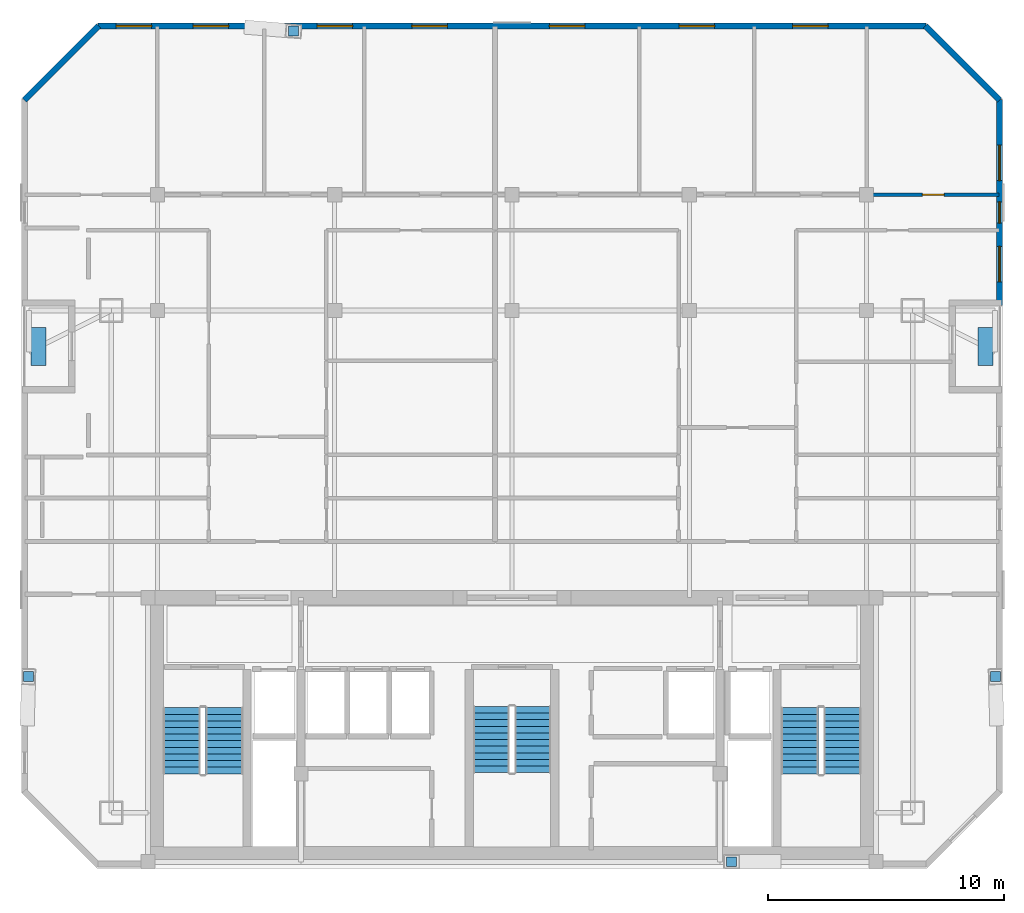
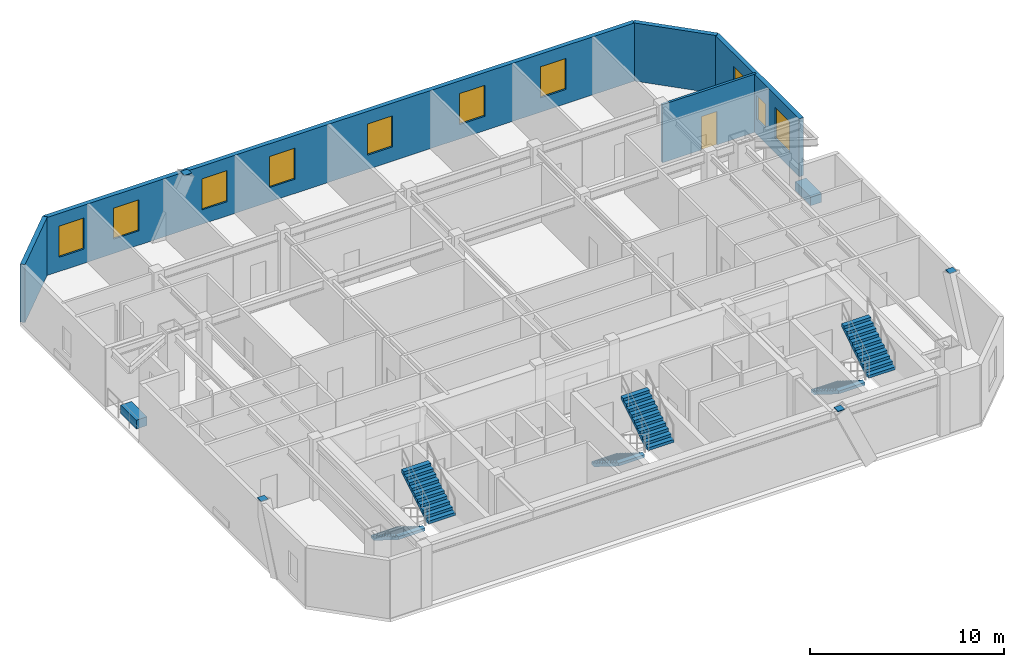
# One storey, part 6 of 7: 10 windows, 6 discrete accessories, 6 stair flights, 5 walls, 1 door, 11 openings, 3 elements without a shape of their own.
"""IFC4 building model written with IfcOpenShell, lengths in metres."""

import ifcopenshell
import ifcopenshell.guid

model = None  # the IFC model being written
_history = None  # IfcOwnerHistory: only IFC2X3 demands one
_inside = {}  # id of a spatial element -> (the spatial element, [elements in it])
_under = {}  # id of a project, library or spatial element -> (it, [spatial elements below it])
_declared = {}  # id of a project -> (the project, [libraries it declares])
_typed = {}  # id of a type object -> (the type object, [elements of that type])
_made_of = {}  # id of a material, layer set ... -> (it, [elements and type objects made of it])


def new_model(schema):
    """Start an empty IFC model of exactly this schema.

    Asked for "IFC4X3", IfcOpenShell would pick the latest addendum, in which some entities
    have other attributes; the version numbers below select the first issue.
    IFC2X3 requires an IfcOwnerHistory on every rooted entity: one is made here for all.
    """
    global model, _history
    if schema == "IFC4X3":
        model = ifcopenshell.file(schema_version=(4, 3, 0, 0))
    else:
        model = ifcopenshell.file(schema=schema)
    _inside.clear()
    _under.clear()
    _declared.clear()
    _typed.clear()
    _made_of.clear()
    _history = None
    if model.schema == "IFC2X3":
        org = make("IfcOrganization", Name="unknown")
        user = make(
            "IfcPersonAndOrganization",
            ThePerson=make("IfcPerson", FamilyName="unknown"),
            TheOrganization=org,
        )
        app = make(
            "IfcApplication",
            ApplicationDeveloper=org,
            Version="unknown",
            ApplicationFullName="unknown",
            ApplicationIdentifier="unknown",
        )
        _history = make(
            "IfcOwnerHistory",
            OwningUser=user,
            OwningApplication=app,
            ChangeAction="ADDED",
            CreationDate=0,
        )
    return model


def make(cls, **values):
    """One entity of the class cls with the attributes given. An attribute that is None is left unset."""
    return model.create_entity(
        cls, **{name: value for name, value in values.items() if value is not None}
    )


def rooted(cls, **values):
    """An entity with a GlobalId (a new one), such as an element, a storey or a relation."""
    return make(cls, GlobalId=ifcopenshell.guid.new(), OwnerHistory=_history, **values)


def si_unit(unit_type, name, prefix=None):
    """IfcSIUnit, for example si_unit("LENGTHUNIT", "METRE", prefix="MILLI")."""
    return make("IfcSIUnit", UnitType=unit_type, Prefix=prefix, Name=name)


def assignment(units):
    """IfcUnitAssignment: the units of a project."""
    return None if units is None else make("IfcUnitAssignment", Units=units)


def point(xyz):
    """IfcCartesianPoint."""
    return None if xyz is None else make("IfcCartesianPoint", Coordinates=xyz)


def direction(xyz):
    """IfcDirection."""
    return None if xyz is None else make("IfcDirection", DirectionRatios=xyz)


def frame(location, z_axis=None, x_axis=None):
    """IfcAxis2Placement3D, a coordinate frame: its origin and axes. An axis left out is left unset."""
    return make(
        "IfcAxis2Placement3D",
        Location=point(location),
        Axis=direction(z_axis),
        RefDirection=direction(x_axis),
    )


def frame_2d(location, x_axis=None):
    """IfcAxis2Placement2D, a coordinate frame in the plane: its origin and x axis."""
    return make(
        "IfcAxis2Placement2D", Location=point(location), RefDirection=direction(x_axis)
    )


def origin():
    """The frame at (0, 0, 0) with its axes left unset."""
    return frame((0.0, 0.0, 0.0))


def origin_2d():
    """The frame at (0, 0) in the plane with its x axis left unset."""
    return frame_2d((0.0, 0.0))


def place(relative_to, where):
    """IfcLocalPlacement: puts the frame where relative to a parent placement (None: the world)."""
    return make(
        "IfcLocalPlacement", PlacementRelTo=relative_to, RelativePlacement=where
    )


def context(
    kind, dimensions, precision=None, world=None, true_north=None, identifier=None
):
    """IfcGeometricRepresentationContext, for example the 3D "Model" context."""
    return make(
        "IfcGeometricRepresentationContext",
        ContextIdentifier=identifier,
        ContextType=kind,
        CoordinateSpaceDimension=dimensions,
        Precision=precision,
        WorldCoordinateSystem=world,
        TrueNorth=true_north,
    )


def subcontext(parent, identifier, kind, view, scale=None):
    """IfcGeometricRepresentationSubContext, for example "Body" below "Model"."""
    return make(
        "IfcGeometricRepresentationSubContext",
        ContextIdentifier=identifier,
        ContextType=kind,
        ParentContext=parent,
        TargetScale=scale,
        TargetView=view,
    )


def project(units=None, contexts=None):
    """IfcProject with its units and contexts."""
    return rooted(
        "IfcProject",
        Name="project",
        RepresentationContexts=contexts,
        UnitsInContext=assignment(units),
    )


def spatial(cls, under=None, at=None, **own):
    """A site, building, storey or space (cls), placed at a placement, below another one or the project."""
    s = rooted(cls, ObjectPlacement=at, **own)
    if under is not None:
        _under.setdefault(under.id(), (under, []))[1].append(s)
    return s


def polyline(points):
    """IfcPolyline through the points."""
    return make("IfcPolyline", Points=[point(p) for p in points])


def profile(cls, at=None, kind="AREA", **sizes):
    """A parametric profile (cls). Its sizes go by their IFC names, for example OverallWidth=200.0."""
    return make(cls, ProfileType=kind, Position=at, **sizes)


def rectangle(**sizes):
    """IfcRectangleProfileDef."""
    return profile("IfcRectangleProfileDef", **sizes)


def outline(outer, holes=None, kind="AREA"):
    """IfcArbitraryClosedProfileDef: a profile drawn as a closed curve; with holes, ...WithVoids."""
    if holes is None:
        return make("IfcArbitraryClosedProfileDef", ProfileType=kind, OuterCurve=outer)
    return make(
        "IfcArbitraryProfileDefWithVoids",
        ProfileType=kind,
        OuterCurve=outer,
        InnerCurves=holes,
    )


def extrude(swept, where, along, depth):
    """IfcExtrudedAreaSolid: the profile swept, set in the frame where, extruded along a direction by depth."""
    return make(
        "IfcExtrudedAreaSolid",
        SweptArea=swept,
        Position=where,
        ExtrudedDirection=direction(along),
        Depth=depth,
    )


def shape(context_of_items, identifier, shape_type, items):
    """IfcShapeRepresentation: the items that make up one representation, for example the "Body"."""
    return make(
        "IfcShapeRepresentation",
        ContextOfItems=context_of_items,
        RepresentationIdentifier=identifier,
        RepresentationType=shape_type,
        Items=items,
    )


def material(Name=None, Category=None):
    """IfcMaterial."""
    return make("IfcMaterial", Name=Name, Category=Category)


def layer(
    of_material, thickness, ventilated=None, Name=None, Category=None, Priority=None
):
    """IfcMaterialLayer: one layer of a wall or slab, of a material (None: an air gap)."""
    return make(
        "IfcMaterialLayer",
        Material=of_material,
        LayerThickness=thickness,
        IsVentilated=ventilated,
        Name=Name,
        Category=Category,
        Priority=Priority,
    )


def layer_set(layers, Name=None):
    """IfcMaterialLayerSet."""
    return make("IfcMaterialLayerSet", MaterialLayers=layers, LayerSetName=Name)


def made_of(thing, what):
    """Note that an element or type object is made of a material, layer set ...; save() writes the relation."""
    if what is not None:
        _made_of.setdefault(what.id(), (what, []))[1].append(thing)
    return thing


def type_object(cls, material=None, **own):
    """A type object (cls), such as IfcWallType, which elements share."""
    return made_of(rooted(cls, **own), material)


def element(
    cls,
    number,
    at=None,
    inside=None,
    cuts=None,
    type_object=None,
    material=None,
    context=None,
    identifier="Body",
    shape_type=None,
    held_by="IfcProductDefinitionShape",
    body=None,
    shapes=None,
    **own,
):
    """One element of the class cls, such as IfcWall. Its Tag is "e" and its number.

    at: its placement. inside: the storey or other place that contains it. cuts: it is an
    opening in that element (IfcRelVoidsElement). A single representation is given by context,
    identifier, shape_type and body (its items); several are given by shapes. held_by: the class
    of the entity that holds the representations. save() writes the other relations.
    """
    e = rooted(cls, Tag="e%d" % number, ObjectPlacement=at, **own)
    if body is not None:
        shapes = [shape(context, identifier, shape_type, body)]
    if shapes is not None:
        e.Representation = make(held_by, Representations=shapes)
    if inside is not None:
        _inside.setdefault(inside.id(), (inside, []))[1].append(e)
    if cuts is not None:
        rooted(
            "IfcRelVoidsElement", RelatingBuildingElement=cuts, RelatedOpeningElement=e
        )
    if type_object is not None:
        _typed.setdefault(type_object.id(), (type_object, []))[1].append(e)
    return made_of(e, material)


def fill(opening, filler):
    """IfcRelFillsElement: the door or window that sits in an opening."""
    return rooted(
        "IfcRelFillsElement",
        RelatingOpeningElement=opening,
        RelatedBuildingElement=filler,
    )


def aggregate(whole, parts):
    """IfcRelAggregates: a whole, such as a stair, and the parts it consists of."""
    return rooted("IfcRelAggregates", RelatingObject=whole, RelatedObjects=parts)


def save(model, path):
    """Write the relations noted so far, then the file.

    IfcRelAggregates (storeys below a building ...), IfcRelContainedInSpatialStructure (elements
    in a storey), IfcRelDefinesByType, IfcRelAssociatesMaterial and IfcRelDeclares: one each for
    every whole, place, type object, material and project.
    """
    for whole, parts in _under.values():
        aggregate(whole, parts)
    for where, things in _inside.values():
        rooted(
            "IfcRelContainedInSpatialStructure",
            RelatedElements=things,
            RelatingStructure=where,
        )
    for kind, things in _typed.values():
        rooted("IfcRelDefinesByType", RelatedObjects=things, RelatingType=kind)
    for what, things in _made_of.values():
        rooted("IfcRelAssociatesMaterial", RelatedObjects=things, RelatingMaterial=what)
    for by, libraries in _declared.values():
        rooted("IfcRelDeclares", RelatingContext=by, RelatedDefinitions=libraries)
    model.write(path)


model = new_model("IFC4")

# Units and contexts
model_context = context("Model", 3, precision=1e-05, world=origin(), true_north=direction((0.0, 1.0)))
body_context = subcontext(model_context, "Body", "Model", "MODEL_VIEW")
ifc_project = project(units=[si_unit("LENGTHUNIT", "METRE"), si_unit("AREAUNIT", "SQUARE_METRE"), si_unit("VOLUMEUNIT", "CUBIC_METRE"), si_unit("PLANEANGLEUNIT", "RADIAN"), si_unit("MASSUNIT", "GRAM", prefix="KILO")], contexts=[model_context])

# Site, building, storey
site_placement = place(None, origin())
site = spatial("IfcSite", under=ifc_project, at=site_placement, CompositionType="ELEMENT")
building_placement = place(site_placement, origin())
building = spatial("IfcBuilding", under=site, at=building_placement, Name="Ventersveld Concourse Tower", CompositionType="ELEMENT")
storey_placement = place(building_placement, frame((0.0, 0.0, 260.60009765625)))
storey = spatial("IfcBuildingStorey", under=building, at=storey_placement, Name="L64", CompositionType="ELEMENT", Elevation=260.60009765625)

# Wall, opening, door
ifc_material_1 = material(Name="Autoclaved aerated masonry blockwork", Category="masonry")
ifc_layer_1 = layer(ifc_material_1, 0.14990234375)
ifc_layer_set_1 = layer_set([ifc_layer_1], Name="Autoclaved aerated masonry blockwork")
wall_type_1 = type_object("IfcWallType", Name="WL-INT-150", PredefinedType="PARTITIONING", material=ifc_layer_set_1)
wall_1_placement = place(storey_placement, frame((43.784912109375, 28.5, 0.0), z_axis=(0.0, 0.0, 1.0), x_axis=(1.0, 0.0, 0.0)))
wall_1 = element("IfcWall", 1, at=wall_1_placement, inside=storey, type_object=wall_type_1, Name="L64 Interior Partition SP-L64-64N2-LIV-SP-L64-64N2-BR4", PredefinedType="PARTITIONING", context=body_context, shape_type="SweptSolid", body=[
    extrude(rectangle(XDim=5.56787109375, YDim=0.14990234375, at=frame_2d((2.783935546875, 0.0))), origin(), (0.0, 0.0, 1.0), 3.64990234375),
])
opening_1_placement = place(wall_1_placement, frame((2.323974609375, 0.0, 0.0)))
opening_1 = element("IfcOpeningElement", 2, at=opening_1_placement, cuts=wall_1, Name="Opening ID1", PredefinedType="OPENING", context=body_context, shape_type="SweptSolid", body=[
    extrude(rectangle(XDim=0.919921875, YDim=2.10009765625, at=frame_2d((0.4599609375, 1.050048828125))), frame((0.0, 0.0849609375, 0.0), z_axis=(0.0, -1.0, 0.0), x_axis=(1.0, 0.0, 0.0)), (0.0, 0.0, 1.0), 0.169921875),
])
ifc_material_2 = material(Name="Solid-core hardwood veneer timber", Category="wood")
door_type = type_object("IfcDoorType", Name="DR-ROOM-092", OperationType="NOTDEFINED", PredefinedType="DOOR", material=ifc_material_2)
door_placement = place(opening_1_placement, origin())
door = element("IfcDoor", 3, at=door_placement, inside=storey, type_object=door_type, Name="L64 Interior Door SP-L64-64N2-LIV to SP-L64-64N2-BR4 (D-L64-3049)", OperationType="SINGLE_SWING_LEFT", OverallHeight=2.10009765625, OverallWidth=0.919921875, PredefinedType="DOOR", context=body_context, shape_type="SweptSolid", body=[
    extrude(rectangle(XDim=0.919921875, YDim=2.10009765625, at=frame_2d((0.4599609375, 1.050048828125))), frame((0.0, 0.02490234375, 0.0), z_axis=(0.0, -1.0, 0.0), x_axis=(1.0, 0.0, 0.0)), (0.0, 0.0, 1.0), 0.050048828125),
])
fill(opening_1, door)

# Wall, openings, windows
ifc_material_3 = material(Name="Precast concrete C45/55", Category="concrete")
ifc_layer_2 = layer(ifc_material_3, 0.260009765625)
ifc_layer_set_2 = layer_set([ifc_layer_2], Name="Precast concrete C45/55")
wall_type_2 = type_object("IfcWallType", Name="WL-PREC-260", PredefinedType="SOLIDWALL", material=ifc_layer_set_2)
wall_2_placement = place(storey_placement, frame((49.372314453125, 23.8203125, 0.0), z_axis=(0.0, 0.0, 1.0), x_axis=(0.0, 1.0, 0.0)))
wall_2 = element("IfcWall", 4, at=wall_2_placement, inside=storey, type_object=wall_type_2, Name="L64 Highveld Precast Facade Wall E07", PredefinedType="SOLIDWALL", context=body_context, shape_type="SweptSolid", body=[
    extrude(rectangle(XDim=8.7001953125, YDim=0.260009765625, at=frame_2d((4.35009765625, 0.0))), origin(), (0.0, 0.0, 1.0), 3.64990234375),
])
opening_2_placement = place(wall_2_placement, frame((3.479736328125, 0.0, 0.949951171875)))
opening_2 = element("IfcOpeningElement", 5, at=opening_2_placement, cuts=wall_2, Name="Opening W4", PredefinedType="OPENING", context=body_context, shape_type="SweptSolid", body=[
    extrude(rectangle(XDim=0.89990234375, YDim=1.5, at=frame_2d((0.449951171875, 0.75))), frame((0.0, 0.14013671875, 0.0), z_axis=(0.0, -1.0, 0.0), x_axis=(1.0, 0.0, 0.0)), (0.0, 0.0, 1.0), 0.280029296875),
])
opening_3_placement = place(wall_2_placement, frame((0.993408203125, 0.0, 0.89990234375)))
opening_3 = element("IfcOpeningElement", 6, at=opening_3_placement, cuts=wall_2, Name="Opening W1", PredefinedType="OPENING", context=body_context, shape_type="SweptSolid", body=[
    extrude(rectangle(XDim=1.5, YDim=1.949951171875, at=frame_2d((0.75, 0.97509765625))), frame((0.0, 0.14013671875, 0.0), z_axis=(0.0, -1.0, 0.0), x_axis=(1.0, 0.0, 0.0)), (0.0, 0.0, 1.0), 0.280029296875),
])
opening_4_placement = place(wall_2_placement, frame((5.27490234375, 0.0, 0.89990234375)))
opening_4 = element("IfcOpeningElement", 7, at=opening_4_placement, cuts=wall_2, Name="Opening W1", PredefinedType="OPENING", context=body_context, shape_type="SweptSolid", body=[
    extrude(rectangle(XDim=1.5, YDim=1.949951171875, at=frame_2d((0.75, 0.97509765625))), frame((0.0, 0.14013671875, 0.0), z_axis=(0.0, -1.0, 0.0), x_axis=(1.0, 0.0, 0.0)), (0.0, 0.0, 1.0), 0.280029296875),
])
ifc_material_4 = material(Name="Tempered acoustic Low-E IGU", Category="glass")
window_type_1 = type_object("IfcWindowType", Name="WIN-090x150", PartitioningType="SINGLE_PANEL", PredefinedType="WINDOW", material=ifc_material_4)
window_1_placement = place(opening_2_placement, origin())
window_1 = element("IfcWindow", 8, at=window_1_placement, inside=storey, type_object=window_type_1, Name="L64 Punched Low-E Window W-0912", OverallHeight=1.5, OverallWidth=0.89990234375, PartitioningType="SINGLE_PANEL", PredefinedType="WINDOW", context=body_context, shape_type="SweptSolid", body=[
    extrude(rectangle(XDim=0.89990234375, YDim=1.5, at=frame_2d((0.449951171875, 0.75))), frame((0.0, 0.030029296875, 0.0), z_axis=(0.0, -1.0, 0.0), x_axis=(1.0, 0.0, 0.0)), (0.0, 0.0, 1.0), 0.06005859375),
])
fill(opening_2, window_1)
window_type_2 = type_object("IfcWindowType", Name="WIN-150x210", PartitioningType="SINGLE_PANEL", PredefinedType="WINDOW", material=ifc_material_4)
window_2_placement = place(opening_3_placement, origin())
window_2 = element("IfcWindow", 9, at=window_2_placement, inside=storey, type_object=window_type_2, Name="L64 Punched Low-E Window W-0916", OverallHeight=1.949951171875, OverallWidth=1.5, PartitioningType="SINGLE_PANEL", PredefinedType="WINDOW", context=body_context, shape_type="SweptSolid", body=[
    extrude(rectangle(XDim=1.5, YDim=1.949951171875, at=frame_2d((0.75, 0.97509765625))), frame((0.0, 0.030029296875, 0.0), z_axis=(0.0, -1.0, 0.0), x_axis=(1.0, 0.0, 0.0)), (0.0, 0.0, 1.0), 0.06005859375),
])
fill(opening_3, window_2)
window_3_placement = place(opening_4_placement, origin())
window_3 = element("IfcWindow", 10, at=window_3_placement, inside=storey, type_object=window_type_2, Name="L64 Punched Low-E Window W-0920", OverallHeight=1.949951171875, OverallWidth=1.5, PartitioningType="SINGLE_PANEL", PredefinedType="WINDOW", context=body_context, shape_type="SweptSolid", body=[
    extrude(rectangle(XDim=1.5, YDim=1.949951171875, at=frame_2d((0.75, 0.97509765625))), frame((0.0, 0.030029296875, 0.0), z_axis=(0.0, -1.0, 0.0), x_axis=(1.0, 0.0, 0.0)), (0.0, 0.0, 1.0), 0.06005859375),
])
fill(opening_4, window_3)

# Wall
wall_3_placement = place(storey_placement, frame((49.382080078125, 32.4970703125, 0.0), z_axis=(0.0, 0.0, 1.0), x_axis=(-0.707106781187, 0.707106781187, 0.0)))
element("IfcWall", 11, at=wall_3_placement, inside=storey, type_object=wall_type_2, Name="L64 Highveld Precast Facade Wall E08", PredefinedType="SOLIDWALL", context=body_context, shape_type="SweptSolid", body=[
    extrude(rectangle(XDim=4.4453125, YDim=0.260009765625, at=frame_2d((2.22265625, 0.0))), origin(), (0.0, 0.0, 1.0), 3.64990234375),
])

# Wall, openings, windows
wall_4_placement = place(storey_placement, frame((46.26220703125, 35.630615234375, 0.0), z_axis=(0.0, 0.0, 1.0), x_axis=(-1.0, 0.0, 0.0)))
wall_4 = element("IfcWall", 12, at=wall_4_placement, inside=storey, type_object=wall_type_2, Name="L64 Highveld Precast Facade Wall E09", PredefinedType="SOLIDWALL", context=body_context, shape_type="SweptSolid", body=[
    extrude(rectangle(XDim=35.0244140625, YDim=0.260009765625, at=frame_2d((17.51220703125, 0.0))), origin(), (0.0, 0.0, 1.0), 3.64990234375),
])
opening_5_placement = place(wall_4_placement, frame((32.754638671875, 0.0, 0.89990234375)))
opening_5 = element("IfcOpeningElement", 13, at=opening_5_placement, cuts=wall_4, Name="Opening W1", PredefinedType="OPENING", context=body_context, shape_type="SweptSolid", body=[
    extrude(rectangle(XDim=1.5, YDim=1.949951171875, at=frame_2d((0.75, 0.97509765625))), frame((0.0, 0.14013671875, 0.0), z_axis=(0.0, -1.0, 0.0), x_axis=(1.0, 0.0, 0.0)), (0.0, 0.0, 1.0), 0.280029296875),
])
opening_6_placement = place(wall_4_placement, frame((29.50146484375, 0.0, 0.89990234375)))
opening_6 = element("IfcOpeningElement", 14, at=opening_6_placement, cuts=wall_4, Name="Opening W1", PredefinedType="OPENING", context=body_context, shape_type="SweptSolid", body=[
    extrude(rectangle(XDim=1.5, YDim=1.949951171875, at=frame_2d((0.75, 0.97509765625))), frame((0.0, 0.14013671875, 0.0), z_axis=(0.0, -1.0, 0.0), x_axis=(1.0, 0.0, 0.0)), (0.0, 0.0, 1.0), 0.280029296875),
])
opening_7_placement = place(wall_4_placement, frame((24.25537109375, 0.0, 0.89990234375)))
opening_7 = element("IfcOpeningElement", 15, at=opening_7_placement, cuts=wall_4, Name="Opening W1", PredefinedType="OPENING", context=body_context, shape_type="SweptSolid", body=[
    extrude(rectangle(XDim=1.5, YDim=1.949951171875, at=frame_2d((0.75, 0.97509765625))), frame((0.0, 0.14013671875, 0.0), z_axis=(0.0, -1.0, 0.0), x_axis=(1.0, 0.0, 0.0)), (0.0, 0.0, 1.0), 0.280029296875),
])
opening_8_placement = place(wall_4_placement, frame((20.243896484375, 0.0, 0.89990234375)))
opening_8 = element("IfcOpeningElement", 16, at=opening_8_placement, cuts=wall_4, Name="Opening W1", PredefinedType="OPENING", context=body_context, shape_type="SweptSolid", body=[
    extrude(rectangle(XDim=1.5, YDim=1.949951171875, at=frame_2d((0.75, 0.97509765625))), frame((0.0, 0.14013671875, 0.0), z_axis=(0.0, -1.0, 0.0), x_axis=(1.0, 0.0, 0.0)), (0.0, 0.0, 1.0), 0.280029296875),
])
opening_9_placement = place(wall_4_placement, frame((14.427001953125, 0.0, 0.89990234375)))
opening_9 = element("IfcOpeningElement", 17, at=opening_9_placement, cuts=wall_4, Name="Opening W1", PredefinedType="OPENING", context=body_context, shape_type="SweptSolid", body=[
    extrude(rectangle(XDim=1.5, YDim=1.949951171875, at=frame_2d((0.75, 0.97509765625))), frame((0.0, 0.14013671875, 0.0), z_axis=(0.0, -1.0, 0.0), x_axis=(1.0, 0.0, 0.0)), (0.0, 0.0, 1.0), 0.280029296875),
])
opening_10_placement = place(wall_4_placement, frame((8.9453125, 0.0, 0.89990234375)))
opening_10 = element("IfcOpeningElement", 18, at=opening_10_placement, cuts=wall_4, Name="Opening W1", PredefinedType="OPENING", context=body_context, shape_type="SweptSolid", body=[
    extrude(rectangle(XDim=1.5, YDim=1.949951171875, at=frame_2d((0.75, 0.97509765625))), frame((0.0, 0.14013671875, 0.0), z_axis=(0.0, -1.0, 0.0), x_axis=(1.0, 0.0, 0.0)), (0.0, 0.0, 1.0), 0.280029296875),
])
opening_11_placement = place(wall_4_placement, frame((4.13916015625, 0.0, 0.89990234375)))
opening_11 = element("IfcOpeningElement", 19, at=opening_11_placement, cuts=wall_4, Name="Opening W1", PredefinedType="OPENING", context=body_context, shape_type="SweptSolid", body=[
    extrude(rectangle(XDim=1.5, YDim=1.949951171875, at=frame_2d((0.75, 0.97509765625))), frame((0.0, 0.14013671875, 0.0), z_axis=(0.0, -1.0, 0.0), x_axis=(1.0, 0.0, 0.0)), (0.0, 0.0, 1.0), 0.280029296875),
])
window_4_placement = place(opening_5_placement, origin())
window_4 = element("IfcWindow", 20, at=window_4_placement, inside=storey, type_object=window_type_2, Name="L64 Punched Low-E Window W-0908", OverallHeight=1.949951171875, OverallWidth=1.5, PartitioningType="SINGLE_PANEL", PredefinedType="WINDOW", context=body_context, shape_type="SweptSolid", body=[
    extrude(rectangle(XDim=1.5, YDim=1.949951171875, at=frame_2d((0.75, 0.97509765625))), frame((0.0, 0.030029296875, 0.0), z_axis=(0.0, -1.0, 0.0), x_axis=(1.0, 0.0, 0.0)), (0.0, 0.0, 1.0), 0.06005859375),
])
fill(opening_5, window_4)
window_5_placement = place(opening_6_placement, origin())
window_5 = element("IfcWindow", 21, at=window_5_placement, inside=storey, type_object=window_type_2, Name="L64 Punched Low-E Window W-0909", OverallHeight=1.949951171875, OverallWidth=1.5, PartitioningType="SINGLE_PANEL", PredefinedType="WINDOW", context=body_context, shape_type="SweptSolid", body=[
    extrude(rectangle(XDim=1.5, YDim=1.949951171875, at=frame_2d((0.75, 0.97509765625))), frame((0.0, 0.030029296875, 0.0), z_axis=(0.0, -1.0, 0.0), x_axis=(1.0, 0.0, 0.0)), (0.0, 0.0, 1.0), 0.06005859375),
])
fill(opening_6, window_5)
window_6_placement = place(opening_7_placement, origin())
window_6 = element("IfcWindow", 22, at=window_6_placement, inside=storey, type_object=window_type_2, Name="L64 Punched Low-E Window W-0910", OverallHeight=1.949951171875, OverallWidth=1.5, PartitioningType="SINGLE_PANEL", PredefinedType="WINDOW", context=body_context, shape_type="SweptSolid", body=[
    extrude(rectangle(XDim=1.5, YDim=1.949951171875, at=frame_2d((0.75, 0.97509765625))), frame((0.0, 0.030029296875, 0.0), z_axis=(0.0, -1.0, 0.0), x_axis=(1.0, 0.0, 0.0)), (0.0, 0.0, 1.0), 0.06005859375),
])
fill(opening_7, window_6)
window_7_placement = place(opening_8_placement, origin())
window_7 = element("IfcWindow", 23, at=window_7_placement, inside=storey, type_object=window_type_2, Name="L64 Punched Low-E Window W-0911", OverallHeight=1.949951171875, OverallWidth=1.5, PartitioningType="SINGLE_PANEL", PredefinedType="WINDOW", context=body_context, shape_type="SweptSolid", body=[
    extrude(rectangle(XDim=1.5, YDim=1.949951171875, at=frame_2d((0.75, 0.97509765625))), frame((0.0, 0.030029296875, 0.0), z_axis=(0.0, -1.0, 0.0), x_axis=(1.0, 0.0, 0.0)), (0.0, 0.0, 1.0), 0.06005859375),
])
fill(opening_8, window_7)
window_8_placement = place(opening_9_placement, origin())
window_8 = element("IfcWindow", 24, at=window_8_placement, inside=storey, type_object=window_type_2, Name="L64 Punched Low-E Window W-0917", OverallHeight=1.949951171875, OverallWidth=1.5, PartitioningType="SINGLE_PANEL", PredefinedType="WINDOW", context=body_context, shape_type="SweptSolid", body=[
    extrude(rectangle(XDim=1.5, YDim=1.949951171875, at=frame_2d((0.75, 0.97509765625))), frame((0.0, 0.030029296875, 0.0), z_axis=(0.0, -1.0, 0.0), x_axis=(1.0, 0.0, 0.0)), (0.0, 0.0, 1.0), 0.06005859375),
])
fill(opening_9, window_8)
window_9_placement = place(opening_10_placement, origin())
window_9 = element("IfcWindow", 25, at=window_9_placement, inside=storey, type_object=window_type_2, Name="L64 Punched Low-E Window W-0918", OverallHeight=1.949951171875, OverallWidth=1.5, PartitioningType="SINGLE_PANEL", PredefinedType="WINDOW", context=body_context, shape_type="SweptSolid", body=[
    extrude(rectangle(XDim=1.5, YDim=1.949951171875, at=frame_2d((0.75, 0.97509765625))), frame((0.0, 0.030029296875, 0.0), z_axis=(0.0, -1.0, 0.0), x_axis=(1.0, 0.0, 0.0)), (0.0, 0.0, 1.0), 0.06005859375),
])
fill(opening_10, window_9)
window_10_placement = place(opening_11_placement, origin())
window_10 = element("IfcWindow", 26, at=window_10_placement, inside=storey, type_object=window_type_2, Name="L64 Punched Low-E Window W-0919", OverallHeight=1.949951171875, OverallWidth=1.5, PartitioningType="SINGLE_PANEL", PredefinedType="WINDOW", context=body_context, shape_type="SweptSolid", body=[
    extrude(rectangle(XDim=1.5, YDim=1.949951171875, at=frame_2d((0.75, 0.97509765625))), frame((0.0, 0.030029296875, 0.0), z_axis=(0.0, -1.0, 0.0), x_axis=(1.0, 0.0, 0.0)), (0.0, 0.0, 1.0), 0.06005859375),
])
fill(opening_11, window_10)

# Wall
wall_5_placement = place(storey_placement, frame((11.26123046875, 35.640380859375, 0.0), z_axis=(0.0, 0.0, 1.0), x_axis=(-0.707106781187, -0.707106781187, 0.0)))
element("IfcWall", 27, at=wall_5_placement, inside=storey, type_object=wall_type_2, Name="L64 Highveld Precast Facade Wall E10", PredefinedType="SOLIDWALL", context=body_context, shape_type="SweptSolid", body=[
    extrude(rectangle(XDim=4.4453125, YDim=0.260009765625, at=frame_2d((2.22265625, 0.0))), origin(), (0.0, 0.0, 1.0), 3.64990234375),
])

# Stair, stair flights
ifc_material_5 = material(Name="Concrete C50/60", Category="concrete")
stair_type_1 = type_object("IfcStairType", Name="ST-DOG-155", PredefinedType="HALF_TURN_STAIR", material=ifc_material_5)
stair_1_placement = place(storey_placement, origin())
stair_1 = element("IfcStair", 28, at=stair_1_placement, inside=storey, type_object=stair_type_1, Name="L64 Protected Central Core Escape Stair ST-03", PredefinedType="HALF_TURN_STAIR")
stair_flight_type_1 = type_object("IfcStairFlightType", Name="STF-RC-155", PredefinedType="STRAIGHT", material=ifc_material_5)
stair_flight_1_placement = place(storey_placement, frame((27.875, 6.85009765625, 0.0), z_axis=(0.0, 0.0, 1.0), x_axis=(0.0, -1.0, 0.0)))
stair_flight_1 = element("IfcStairFlight", 29, at=stair_flight_1_placement, type_object=stair_flight_type_1, Name="ST-03 flight 1", NumberOfRisers=11, NumberOfTreads=10, PredefinedType="STRAIGHT", RiserHeight=0.175, TreadLength=0.28, context=body_context, shape_type="SweptSolid", body=[
    extrude(outline(polyline([(0.0, 0.0), (0.0, 0.175048828125), (0.280029296875, 0.175048828125), (0.280029296875, 0.35009765625), (0.56005859375, 0.35009765625), (0.56005859375, 0.52490234375), (0.840087890625, 0.52490234375), (0.840087890625, 0.699951171875), (1.1201171875, 0.699951171875), (1.1201171875, 0.875), (1.39990234375, 0.875), (1.39990234375, 1.050048828125), (1.679931640625, 1.050048828125), (1.679931640625, 1.22509765625), (1.9599609375, 1.22509765625), (1.9599609375, 1.39990234375), (2.239990234375, 1.39990234375), (2.239990234375, 1.574951171875), (2.52001953125, 1.574951171875), (2.52001953125, 1.75), (2.800048828125, 1.75), (2.800048828125, 1.925048828125), (2.800048828125, 1.5732421875), (0.28271484375, 0.0), (0.0, 0.0)])), frame((0.0, 0.77490234375, 0.0), z_axis=(0.0, -1.0, 0.0), x_axis=(1.0, 0.0, 0.0)), (0.0, 0.0, 1.0), 1.550048828125),
])
stair_flight_2_placement = place(storey_placement, frame((29.625, 4.050048828125, 1.9248046875), z_axis=(0.0, 0.0, 1.0), x_axis=(0.0, 1.0, 0.0)))
stair_flight_2 = element("IfcStairFlight", 30, at=stair_flight_2_placement, type_object=stair_flight_type_1, Name="ST-03 flight 2", NumberOfRisers=11, NumberOfTreads=10, PredefinedType="STRAIGHT", RiserHeight=0.175, TreadLength=0.28, context=body_context, shape_type="SweptSolid", body=[
    extrude(outline(polyline([(0.0, 0.0), (0.0, 0.175048828125), (0.280029296875, 0.175048828125), (0.280029296875, 0.35009765625), (0.56005859375, 0.35009765625), (0.56005859375, 0.52490234375), (0.840087890625, 0.52490234375), (0.840087890625, 0.699951171875), (1.1201171875, 0.699951171875), (1.1201171875, 0.875), (1.39990234375, 0.875), (1.39990234375, 1.050048828125), (1.679931640625, 1.050048828125), (1.679931640625, 1.22509765625), (1.9599609375, 1.22509765625), (1.9599609375, 1.39990234375), (2.239990234375, 1.39990234375), (2.239990234375, 1.574951171875), (2.52001953125, 1.574951171875), (2.52001953125, 1.75), (2.800048828125, 1.75), (2.800048828125, 1.925048828125), (2.800048828125, 1.5732421875), (0.28271484375, 0.0), (0.0, 0.0)])), frame((0.0, 0.77490234375, 0.0), z_axis=(0.0, -1.0, 0.0), x_axis=(1.0, 0.0, 0.0)), (0.0, 0.0, 1.0), 1.550048828125),
])
aggregate(stair_1, [stair_flight_1, stair_flight_2])

stair_type_2 = type_object("IfcStairType", Name="ST-DOG-160", PredefinedType="HALF_TURN_STAIR", material=ifc_material_5)
stair_2_placement = place(storey_placement, origin())
stair_2 = element("IfcStair", 31, at=stair_2_placement, inside=storey, type_object=stair_type_2, Name="L64 Protected Tower Escape Stair ST-01", PredefinedType="HALF_TURN_STAIR")
stair_flight_type_2 = type_object("IfcStairFlightType", Name="STF-RC-160", PredefinedType="STRAIGHT", material=ifc_material_5)
stair_flight_3_placement = place(storey_placement, frame((14.780029296875, 6.800048828125, 0.0), z_axis=(0.0, 0.0, 1.0), x_axis=(0.0, -1.0, 0.0)))
stair_flight_3 = element("IfcStairFlight", 32, at=stair_flight_3_placement, type_object=stair_flight_type_2, Name="ST-01 flight 1", NumberOfRisers=11, NumberOfTreads=10, PredefinedType="STRAIGHT", RiserHeight=0.175, TreadLength=0.28, context=body_context, shape_type="SweptSolid", body=[
    extrude(outline(polyline([(0.0, 0.0), (0.0, 0.175048828125), (0.280029296875, 0.175048828125), (0.280029296875, 0.35009765625), (0.56005859375, 0.35009765625), (0.56005859375, 0.52490234375), (0.840087890625, 0.52490234375), (0.840087890625, 0.699951171875), (1.1201171875, 0.699951171875), (1.1201171875, 0.875), (1.39990234375, 0.875), (1.39990234375, 1.050048828125), (1.679931640625, 1.050048828125), (1.679931640625, 1.22509765625), (1.9599609375, 1.22509765625), (1.9599609375, 1.39990234375), (2.239990234375, 1.39990234375), (2.239990234375, 1.574951171875), (2.52001953125, 1.574951171875), (2.52001953125, 1.75), (2.800048828125, 1.75), (2.800048828125, 1.925048828125), (2.800048828125, 1.5732421875), (0.28271484375, 0.0), (0.0, 0.0)])), frame((0.0, 0.800048828125, 0.0), z_axis=(0.0, -1.0, 0.0), x_axis=(1.0, 0.0, 0.0)), (0.0, 0.0, 1.0), 1.60009765625),
])
stair_flight_4_placement = place(storey_placement, frame((16.580078125, 4.0, 1.9248046875), z_axis=(0.0, 0.0, 1.0), x_axis=(0.0, 1.0, 0.0)))
stair_flight_4 = element("IfcStairFlight", 33, at=stair_flight_4_placement, type_object=stair_flight_type_2, Name="ST-01 flight 2", NumberOfRisers=11, NumberOfTreads=10, PredefinedType="STRAIGHT", RiserHeight=0.175, TreadLength=0.28, context=body_context, shape_type="SweptSolid", body=[
    extrude(outline(polyline([(0.0, 0.0), (0.0, 0.175048828125), (0.280029296875, 0.175048828125), (0.280029296875, 0.35009765625), (0.56005859375, 0.35009765625), (0.56005859375, 0.52490234375), (0.840087890625, 0.52490234375), (0.840087890625, 0.699951171875), (1.1201171875, 0.699951171875), (1.1201171875, 0.875), (1.39990234375, 0.875), (1.39990234375, 1.050048828125), (1.679931640625, 1.050048828125), (1.679931640625, 1.22509765625), (1.9599609375, 1.22509765625), (1.9599609375, 1.39990234375), (2.239990234375, 1.39990234375), (2.239990234375, 1.574951171875), (2.52001953125, 1.574951171875), (2.52001953125, 1.75), (2.800048828125, 1.75), (2.800048828125, 1.925048828125), (2.800048828125, 1.5732421875), (0.28271484375, 0.0), (0.0, 0.0)])), frame((0.0, 0.800048828125, 0.0), z_axis=(0.0, -1.0, 0.0), x_axis=(1.0, 0.0, 0.0)), (0.0, 0.0, 1.0), 1.60009765625),
])
aggregate(stair_2, [stair_flight_3, stair_flight_4])

stair_3_placement = place(storey_placement, origin())
stair_3 = element("IfcStair", 34, at=stair_3_placement, inside=storey, type_object=stair_type_2, Name="L64 Protected Tower Escape Stair ST-02", PredefinedType="HALF_TURN_STAIR")
stair_flight_5_placement = place(storey_placement, frame((40.919921875, 6.800048828125, 0.0), z_axis=(0.0, 0.0, 1.0), x_axis=(0.0, -1.0, 0.0)))
stair_flight_5 = element("IfcStairFlight", 35, at=stair_flight_5_placement, type_object=stair_flight_type_2, Name="ST-02 flight 1", NumberOfRisers=11, NumberOfTreads=10, PredefinedType="STRAIGHT", RiserHeight=0.175, TreadLength=0.28, context=body_context, shape_type="SweptSolid", body=[
    extrude(outline(polyline([(0.0, 0.0), (0.0, 0.175048828125), (0.280029296875, 0.175048828125), (0.280029296875, 0.35009765625), (0.56005859375, 0.35009765625), (0.56005859375, 0.52490234375), (0.840087890625, 0.52490234375), (0.840087890625, 0.699951171875), (1.1201171875, 0.699951171875), (1.1201171875, 0.875), (1.39990234375, 0.875), (1.39990234375, 1.050048828125), (1.679931640625, 1.050048828125), (1.679931640625, 1.22509765625), (1.9599609375, 1.22509765625), (1.9599609375, 1.39990234375), (2.239990234375, 1.39990234375), (2.239990234375, 1.574951171875), (2.52001953125, 1.574951171875), (2.52001953125, 1.75), (2.800048828125, 1.75), (2.800048828125, 1.925048828125), (2.800048828125, 1.5732421875), (0.28271484375, 0.0), (0.0, 0.0)])), frame((0.0, 0.800048828125, 0.0), z_axis=(0.0, -1.0, 0.0), x_axis=(1.0, 0.0, 0.0)), (0.0, 0.0, 1.0), 1.60009765625),
])
stair_flight_6_placement = place(storey_placement, frame((42.719970703125, 4.0, 1.9248046875), z_axis=(0.0, 0.0, 1.0), x_axis=(0.0, 1.0, 0.0)))
stair_flight_6 = element("IfcStairFlight", 36, at=stair_flight_6_placement, type_object=stair_flight_type_2, Name="ST-02 flight 2", NumberOfRisers=11, NumberOfTreads=10, PredefinedType="STRAIGHT", RiserHeight=0.175, TreadLength=0.28, context=body_context, shape_type="SweptSolid", body=[
    extrude(outline(polyline([(0.0, 0.0), (0.0, 0.175048828125), (0.280029296875, 0.175048828125), (0.280029296875, 0.35009765625), (0.56005859375, 0.35009765625), (0.56005859375, 0.52490234375), (0.840087890625, 0.52490234375), (0.840087890625, 0.699951171875), (1.1201171875, 0.699951171875), (1.1201171875, 0.875), (1.39990234375, 0.875), (1.39990234375, 1.050048828125), (1.679931640625, 1.050048828125), (1.679931640625, 1.22509765625), (1.9599609375, 1.22509765625), (1.9599609375, 1.39990234375), (2.239990234375, 1.39990234375), (2.239990234375, 1.574951171875), (2.52001953125, 1.574951171875), (2.52001953125, 1.75), (2.800048828125, 1.75), (2.800048828125, 1.925048828125), (2.800048828125, 1.5732421875), (0.28271484375, 0.0), (0.0, 0.0)])), frame((0.0, 0.800048828125, 0.0), z_axis=(0.0, -1.0, 0.0), x_axis=(1.0, 0.0, 0.0)), (0.0, 0.0, 1.0), 1.60009765625),
])
aggregate(stair_3, [stair_flight_5, stair_flight_6])

# Discrete accessories
ifc_material_6 = material(Name="Structural steel S355J2", Category="steel")
discrete_accessory_type_1 = type_object("IfcDiscreteAccessoryType", Name="CONN-BRACE-ECP1", PredefinedType="BRACKET", material=ifc_material_6)
for number, where, z_axis, x_axis, name in (
    (37, (19.510498046875, 35.418212890625, 3.6298828125), (0.0, 0.0, 1.0), (1.0, 0.0, 0.0), "L64 Steel Brace End Connection Plate ECP1-0438"),
    (38, (38.03955078125, 0.280029296875, 3.6298828125), (0.0, 0.0, 1.0), (1.0, 0.0, 0.0), "L64 Steel Brace End Connection Plate ECP1-0442"),
    (39, (8.29931640625, 8.110595703125, 3.6298828125), (0.0, 0.0, 1.0), (1.0, 0.0, 0.0), "L64 Steel Brace End Connection Plate ECP1-0446"),
    (40, (49.20068359375, 8.110595703125, 3.6298828125), (0.0, 0.0, 1.0), (1.0, 0.0, 0.0), "L64 Steel Brace End Connection Plate ECP1-0450"),
):
    element("IfcDiscreteAccessory", number, at=place(storey_placement, frame(where, z_axis=z_axis, x_axis=x_axis)), inside=storey, type_object=discrete_accessory_type_1, Name=name, PredefinedType="BRACKET", context=body_context, shape_type="SweptSolid", body=[
        extrude(rectangle(XDim=0.419921875, YDim=0.419921875, at=origin_2d()), origin(), (0.0, 0.0, 1.0), 0.0400390625),
    ])
discrete_accessory_type_2 = type_object("IfcDiscreteAccessoryType", Name="PLN-TERR-180", PredefinedType="USERDEFINED", material=ifc_material_3)
for number, where, z_axis, x_axis, name in (
    (41, (8.7177734375, 22.080322265625, 0.0), (0.0, 0.0, 1.0), (0.0, 1.0, 0.0), "L64 Planted Precast Terrace Planter Box NOTCH-W"),
    (42, (48.7822265625, 22.080322265625, 0.0), (0.0, 0.0, 1.0), (0.0, 1.0, 0.0), "L64 Planted Precast Terrace Planter Box NOTCH-E"),
):
    element("IfcDiscreteAccessory", number, at=place(storey_placement, frame(where, z_axis=z_axis, x_axis=x_axis)), inside=storey, type_object=discrete_accessory_type_2, Name=name, ObjectType="PLANTER", PredefinedType="USERDEFINED", context=body_context, shape_type="SweptSolid", body=[
        extrude(rectangle(XDim=1.60009765625, YDim=0.64990234375, at=origin_2d()), origin(), (0.0, 0.0, 1.0), 0.550048828125),
    ])

save(model, "model.ifc")
